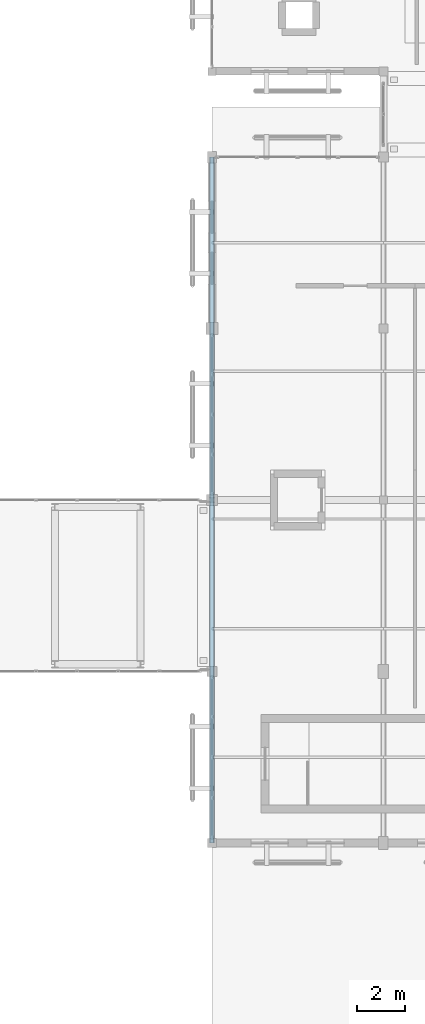
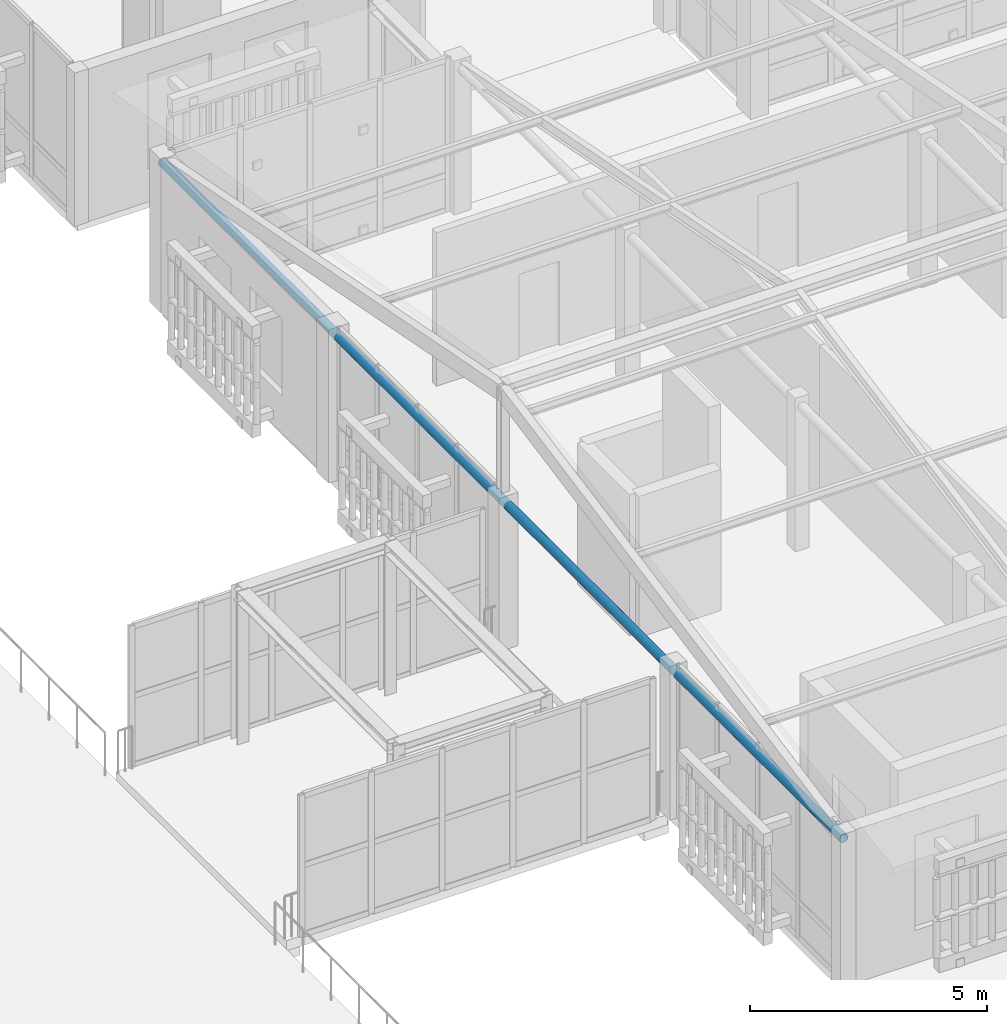
# One storey, part 43 of 112: 1 member.
"""IFC4 building model written with IfcOpenShell, lengths in metres."""

from ifc_helpers import new_model, si_unit, direction, frame, origin, origin_2d, place, context, subcontext, project, spatial, hollow_circle, extrude, material, material_profile, profile_set, type_object, element, save


model = new_model("IFC4")

# Units and contexts
model_context = context("Model", 3, precision=1e-05, world=origin(), true_north=direction((0.0, 1.0)))
body_context = subcontext(model_context, "Body", "Model", "MODEL_VIEW")
ifc_project = project(units=[si_unit("LENGTHUNIT", "METRE"), si_unit("AREAUNIT", "SQUARE_METRE"), si_unit("VOLUMEUNIT", "CUBIC_METRE"), si_unit("PLANEANGLEUNIT", "RADIAN"), si_unit("MASSUNIT", "GRAM", prefix="KILO")], contexts=[model_context])

# Site, building, storey
site_placement = place(None, origin())
site = spatial("IfcSite", under=ifc_project, at=site_placement, CompositionType="ELEMENT")
building_placement = place(site_placement, origin())
building = spatial("IfcBuilding", under=site, at=building_placement, Name="Mazaris Harbour Polytechnic", CompositionType="ELEMENT")
storey_placement = place(building_placement, frame((0.0, 0.0, 13.800048828125)))
storey = spatial("IfcBuildingStorey", under=building, at=storey_placement, Name="L03", CompositionType="ELEMENT", Elevation=13.800048828125)

# Member
ifc_material = material(Name="Steel S355", Category="steel")
ifc_material_profile = material_profile(ifc_material, hollow_circle(Radius=0.109619140625, WallThickness=0.010009765625, at=origin_2d()), Name="CHS 219.1x10.0")
ifc_profile_set = profile_set([ifc_material_profile], Name="Steel S355")
member_type = type_object("IfcMemberType", Name="Steel Tie Chord CHS219", PredefinedType="CHORD", material=ifc_profile_set)
member_placement = place(storey_placement, frame((122.39990234375, 14.39990234375, 3.699951171875), z_axis=(0.0, 1.0, 0.0), x_axis=(-1.0, 0.0, 0.0)))
element("IfcMember", 1, at=member_placement, inside=storey, type_object=member_type, Name="V2 Pavilion Tie Chord 1", PredefinedType="CHORD", context=body_context, shape_type="SweptSolid", body=[
    extrude(hollow_circle(Radius=0.109619140625, WallThickness=0.010009765625, at=origin_2d()), origin(), (0.0, 0.0, 1.0), 28.800048828125),
])

save(model, "model.ifc")
